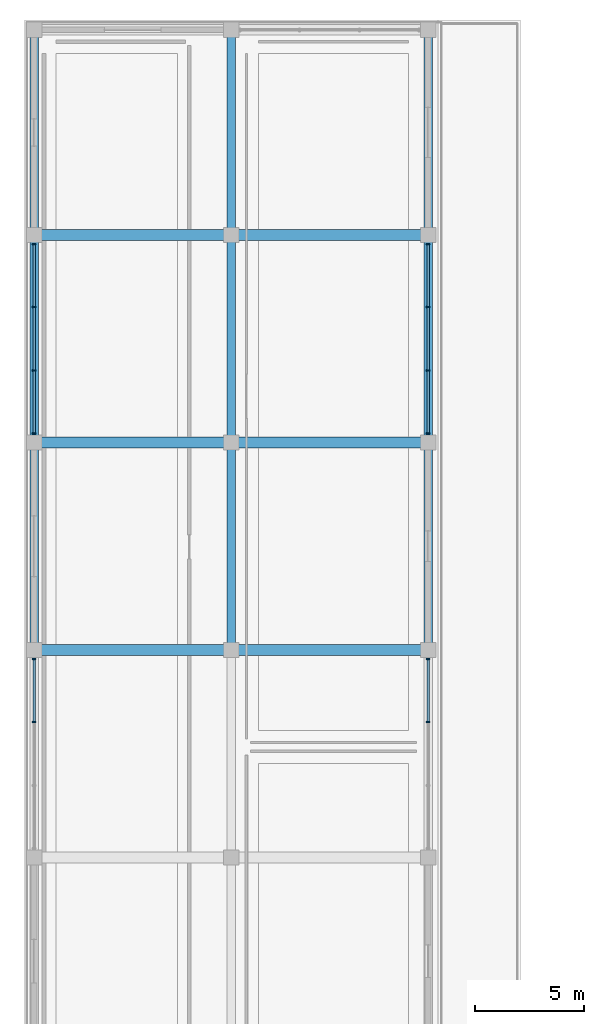
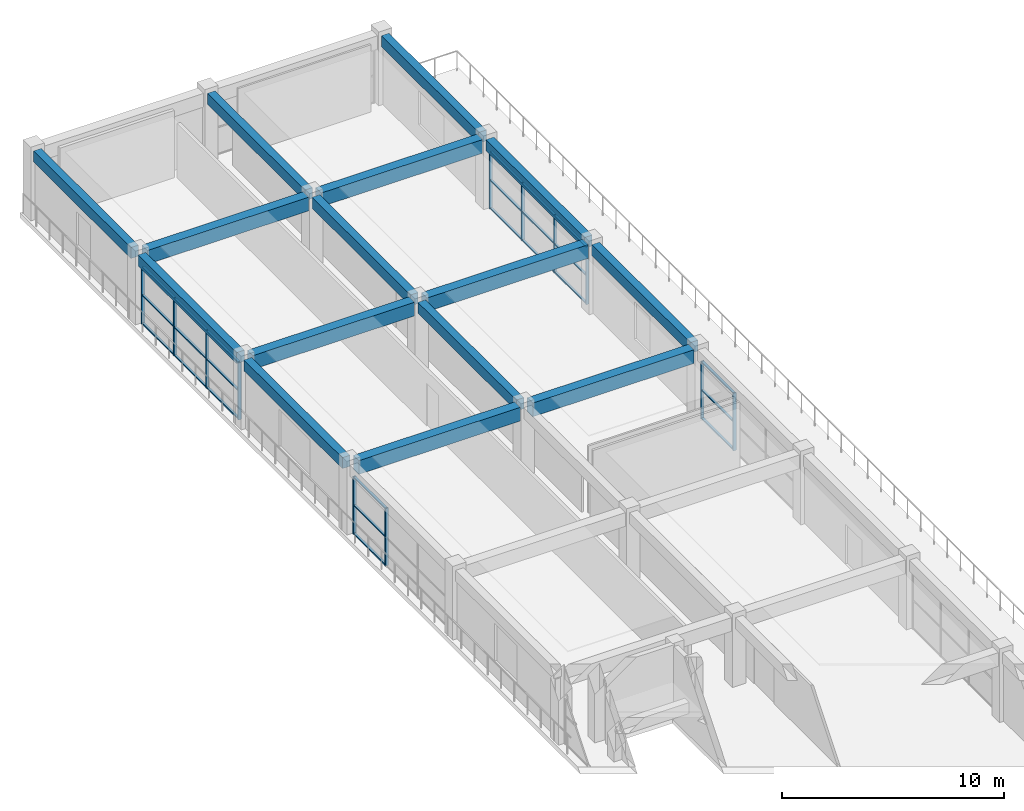
# One storey, part 33 of 70: 36 members, 15 beams, 4 elements without a shape of their own.
"""IFC4 building model written with IfcOpenShell, lengths in metres."""

from ifc_helpers import new_model, si_unit, direction, frame, origin, origin_2d, place, context, subcontext, project, spatial, rectangle, extrude, material, material_profile, profile_set, type_object, element, aggregate, save


model = new_model("IFC4")

# Units and contexts
model_context = context("Model", 3, precision=1e-05, world=origin(), true_north=direction((0.0, 1.0)))
body_context = subcontext(model_context, "Body", "Model", "MODEL_VIEW")
ifc_project = project(units=[si_unit("LENGTHUNIT", "METRE"), si_unit("AREAUNIT", "SQUARE_METRE"), si_unit("VOLUMEUNIT", "CUBIC_METRE"), si_unit("PLANEANGLEUNIT", "RADIAN"), si_unit("MASSUNIT", "GRAM", prefix="KILO")], contexts=[model_context])

# Site, building, storey
site_placement = place(None, origin())
site = spatial("IfcSite", under=ifc_project, at=site_placement, CompositionType="ELEMENT")
building_placement = place(site_placement, origin())
building = spatial("IfcBuilding", under=site, at=building_placement, Name="Saryqyr Civic Hall", CompositionType="ELEMENT")
storey_placement = place(building_placement, frame((0.0, 0.0, 13.199951171875)))
storey = spatial("IfcBuildingStorey", under=building, at=storey_placement, Name="L03", CompositionType="ELEMENT", Elevation=13.199951171875)

# Curtain wall, members
ifc_material_1 = material(Name="Anodised aluminium and triple low-E glass", Category="aluminium")
curtain_wall_type = type_object("IfcCurtainWallType", Name="ENV-CW-STD-52", PredefinedType="NOTDEFINED", material=ifc_material_1)
curtain_wall_1_placement = place(storey_placement, origin())
curtain_wall_1 = element("IfcCurtainWall", 1, at=curtain_wall_1_placement, inside=storey, type_object=curtain_wall_type, Name="Curtain wall V3-CW-L03-1-1", PredefinedType="NOTDEFINED")
ifc_material_2 = material(Name="Anodised aluminium", Category="aluminium")
ifc_material_profile_1 = material_profile(ifc_material_2, rectangle(XDim=0.06005859375, YDim=0.159912109375, at=origin_2d()), Name="ALU MULLION 60x160")
ifc_profile_set_1 = profile_set([ifc_material_profile_1], Name="Anodised aluminium")
member_type_1 = type_object("IfcMemberType", Name="ENV-CW-MUL-180", PredefinedType="MULLION", material=ifc_profile_set_1)
member_1_placement = place(storey_placement, frame((26.14990234375, 155.300048828125, 0.0), z_axis=(0.0, 0.0, 1.0), x_axis=(0.0, -1.0, 0.0)))
member_1 = element("IfcMember", 2, at=member_1_placement, type_object=member_type_1, Name="CW-52 mullion 1", PredefinedType="MULLION", context=body_context, shape_type="SweptSolid", body=[
    extrude(rectangle(XDim=0.06005859375, YDim=0.159912109375, at=origin_2d()), origin(), (0.0, 0.0, 1.0), 3.1650390625),
])
member_2_placement = place(storey_placement, frame((26.14990234375, 152.413330078125, 0.0), z_axis=(0.0, 0.0, 1.0), x_axis=(0.0, -1.0, 0.0)))
member_2 = element("IfcMember", 3, at=member_2_placement, type_object=member_type_1, Name="CW-52 mullion 2", PredefinedType="MULLION", context=body_context, shape_type="SweptSolid", body=[
    extrude(rectangle(XDim=0.06005859375, YDim=0.159912109375, at=origin_2d()), origin(), (0.0, 0.0, 1.0), 3.1650390625),
])
member_3_placement = place(storey_placement, frame((26.14990234375, 149.49658203125, 0.0), z_axis=(0.0, 0.0, 1.0), x_axis=(0.0, -1.0, 0.0)))
member_3 = element("IfcMember", 4, at=member_3_placement, type_object=member_type_1, Name="CW-52 mullion 3", PredefinedType="MULLION", context=body_context, shape_type="SweptSolid", body=[
    extrude(rectangle(XDim=0.06005859375, YDim=0.159912109375, at=origin_2d()), origin(), (0.0, 0.0, 1.0), 3.1650390625),
])
member_4_placement = place(storey_placement, frame((26.14990234375, 146.610107421875, 0.0), z_axis=(0.0, 0.0, 1.0), x_axis=(0.0, -1.0, 0.0)))
member_4 = element("IfcMember", 5, at=member_4_placement, type_object=member_type_1, Name="CW-52 mullion 4", PredefinedType="MULLION", context=body_context, shape_type="SweptSolid", body=[
    extrude(rectangle(XDim=0.06005859375, YDim=0.159912109375, at=origin_2d()), origin(), (0.0, 0.0, 1.0), 3.1650390625),
])

curtain_wall_2_placement = place(storey_placement, origin())
curtain_wall_2 = element("IfcCurtainWall", 6, at=curtain_wall_2_placement, inside=storey, type_object=curtain_wall_type, Name="Curtain wall V3-CW-L03-1-3", PredefinedType="NOTDEFINED")
member_5_placement = place(storey_placement, frame((26.14990234375, 136.239990234375, 0.0), z_axis=(0.0, 0.0, 1.0), x_axis=(0.0, -1.0, 0.0)))
member_5 = element("IfcMember", 7, at=member_5_placement, type_object=member_type_1, Name="CW-52 mullion 1", PredefinedType="MULLION", context=body_context, shape_type="SweptSolid", body=[
    extrude(rectangle(XDim=0.06005859375, YDim=0.159912109375, at=origin_2d()), origin(), (0.0, 0.0, 1.0), 3.1650390625),
])
member_6_placement = place(storey_placement, frame((26.14990234375, 133.353271484375, 0.0), z_axis=(0.0, 0.0, 1.0), x_axis=(0.0, -1.0, 0.0)))
member_6 = element("IfcMember", 8, at=member_6_placement, type_object=member_type_1, Name="CW-52 mullion 2", PredefinedType="MULLION", context=body_context, shape_type="SweptSolid", body=[
    extrude(rectangle(XDim=0.06005859375, YDim=0.159912109375, at=origin_2d()), origin(), (0.0, 0.0, 1.0), 3.1650390625),
])

curtain_wall_3_placement = place(storey_placement, origin())
curtain_wall_3 = element("IfcCurtainWall", 9, at=curtain_wall_3_placement, inside=storey, type_object=curtain_wall_type, Name="Curtain wall V3-CW-L03-3-3", PredefinedType="NOTDEFINED")
member_7_placement = place(storey_placement, frame((8.050048828125, 133.353271484375, 0.0), z_axis=(0.0, 0.0, 1.0), x_axis=(0.0, 1.0, 0.0)))
member_7 = element("IfcMember", 10, at=member_7_placement, type_object=member_type_1, Name="CW-52 mullion 3", PredefinedType="MULLION", context=body_context, shape_type="SweptSolid", body=[
    extrude(rectangle(XDim=0.06005859375, YDim=0.159912109375, at=origin_2d()), origin(), (0.0, 0.0, 1.0), 3.1650390625),
])
member_8_placement = place(storey_placement, frame((8.050048828125, 136.239990234375, 0.0), z_axis=(0.0, 0.0, 1.0), x_axis=(0.0, 1.0, 0.0)))
member_8 = element("IfcMember", 11, at=member_8_placement, type_object=member_type_1, Name="CW-52 mullion 4", PredefinedType="MULLION", context=body_context, shape_type="SweptSolid", body=[
    extrude(rectangle(XDim=0.06005859375, YDim=0.159912109375, at=origin_2d()), origin(), (0.0, 0.0, 1.0), 3.1650390625),
])

curtain_wall_4_placement = place(storey_placement, origin())
curtain_wall_4 = element("IfcCurtainWall", 12, at=curtain_wall_4_placement, inside=storey, type_object=curtain_wall_type, Name="Curtain wall V3-CW-L03-3-5", PredefinedType="NOTDEFINED")
member_9_placement = place(storey_placement, frame((8.050048828125, 146.610107421875, 0.0), z_axis=(0.0, 0.0, 1.0), x_axis=(0.0, 1.0, 0.0)))
member_9 = element("IfcMember", 13, at=member_9_placement, type_object=member_type_1, Name="CW-52 mullion 1", PredefinedType="MULLION", context=body_context, shape_type="SweptSolid", body=[
    extrude(rectangle(XDim=0.06005859375, YDim=0.159912109375, at=origin_2d()), origin(), (0.0, 0.0, 1.0), 3.1650390625),
])
member_10_placement = place(storey_placement, frame((8.050048828125, 149.49658203125, 0.0), z_axis=(0.0, 0.0, 1.0), x_axis=(0.0, 1.0, 0.0)))
member_10 = element("IfcMember", 14, at=member_10_placement, type_object=member_type_1, Name="CW-52 mullion 2", PredefinedType="MULLION", context=body_context, shape_type="SweptSolid", body=[
    extrude(rectangle(XDim=0.06005859375, YDim=0.159912109375, at=origin_2d()), origin(), (0.0, 0.0, 1.0), 3.1650390625),
])
member_11_placement = place(storey_placement, frame((8.050048828125, 152.413330078125, 0.0), z_axis=(0.0, 0.0, 1.0), x_axis=(0.0, 1.0, 0.0)))
member_11 = element("IfcMember", 15, at=member_11_placement, type_object=member_type_1, Name="CW-52 mullion 3", PredefinedType="MULLION", context=body_context, shape_type="SweptSolid", body=[
    extrude(rectangle(XDim=0.06005859375, YDim=0.159912109375, at=origin_2d()), origin(), (0.0, 0.0, 1.0), 3.1650390625),
])
member_12_placement = place(storey_placement, frame((8.050048828125, 155.300048828125, 0.0), z_axis=(0.0, 0.0, 1.0), x_axis=(0.0, 1.0, 0.0)))
member_12 = element("IfcMember", 16, at=member_12_placement, type_object=member_type_1, Name="CW-52 mullion 4", PredefinedType="MULLION", context=body_context, shape_type="SweptSolid", body=[
    extrude(rectangle(XDim=0.06005859375, YDim=0.159912109375, at=origin_2d()), origin(), (0.0, 0.0, 1.0), 3.1650390625),
])

# Member
ifc_material_profile_2 = material_profile(ifc_material_2, rectangle(XDim=0.1201171875, YDim=0.06005859375, at=origin_2d()), Name="ALU TRANSOM 120x60")
ifc_profile_set_2 = profile_set([ifc_material_profile_2], Name="Anodised aluminium")
member_type_2 = type_object("IfcMemberType", Name="ENV-CW-TRN-150", PredefinedType="USERDEFINED", material=ifc_profile_set_2)
member_13_placement = place(storey_placement, frame((26.14990234375, 155.27001953125, 0.030029296875), z_axis=(0.0, -1.0, 0.0), x_axis=(1.0, 0.0, 0.0)))
member_13 = element("IfcMember", 17, at=member_13_placement, type_object=member_type_2, Name="CW-52 transom 1.1", ObjectType="TRANSOM", PredefinedType="USERDEFINED", context=body_context, shape_type="SweptSolid", body=[
    extrude(rectangle(XDim=0.1201171875, YDim=0.06005859375, at=origin_2d()), origin(), (0.0, 0.0, 1.0), 2.82666015625),
])

member_14_placement = place(storey_placement, frame((26.14990234375, 155.27001953125, 1.58203125), z_axis=(0.0, -1.0, 0.0), x_axis=(1.0, 0.0, 0.0)))
member_14 = element("IfcMember", 18, at=member_14_placement, type_object=member_type_2, Name="CW-52 transom 1.2", ObjectType="TRANSOM", PredefinedType="USERDEFINED", context=body_context, shape_type="SweptSolid", body=[
    extrude(rectangle(XDim=0.1201171875, YDim=0.06005859375, at=origin_2d()), origin(), (0.0, 0.0, 1.0), 2.82666015625),
])

member_15_placement = place(storey_placement, frame((26.14990234375, 155.27001953125, 3.135009765625), z_axis=(0.0, -1.0, 0.0), x_axis=(1.0, 0.0, 0.0)))
member_15 = element("IfcMember", 19, at=member_15_placement, type_object=member_type_2, Name="CW-52 transom 1.3", ObjectType="TRANSOM", PredefinedType="USERDEFINED", context=body_context, shape_type="SweptSolid", body=[
    extrude(rectangle(XDim=0.1201171875, YDim=0.06005859375, at=origin_2d()), origin(), (0.0, 0.0, 1.0), 2.82666015625),
])

member_16_placement = place(storey_placement, frame((26.14990234375, 152.38330078125, 0.030029296875), z_axis=(0.0, -1.0, 0.0), x_axis=(1.0, 0.0, 0.0)))
member_16 = element("IfcMember", 20, at=member_16_placement, type_object=member_type_2, Name="CW-52 transom 2.1", ObjectType="TRANSOM", PredefinedType="USERDEFINED", context=body_context, shape_type="SweptSolid", body=[
    extrude(rectangle(XDim=0.1201171875, YDim=0.06005859375, at=origin_2d()), origin(), (0.0, 0.0, 1.0), 2.856689453125),
])

member_17_placement = place(storey_placement, frame((26.14990234375, 152.38330078125, 1.58203125), z_axis=(0.0, -1.0, 0.0), x_axis=(1.0, 0.0, 0.0)))
member_17 = element("IfcMember", 21, at=member_17_placement, type_object=member_type_2, Name="CW-52 transom 2.2", ObjectType="TRANSOM", PredefinedType="USERDEFINED", context=body_context, shape_type="SweptSolid", body=[
    extrude(rectangle(XDim=0.1201171875, YDim=0.06005859375, at=origin_2d()), origin(), (0.0, 0.0, 1.0), 2.856689453125),
])

member_18_placement = place(storey_placement, frame((26.14990234375, 152.38330078125, 3.135009765625), z_axis=(0.0, -1.0, 0.0), x_axis=(1.0, 0.0, 0.0)))
member_18 = element("IfcMember", 22, at=member_18_placement, type_object=member_type_2, Name="CW-52 transom 2.3", ObjectType="TRANSOM", PredefinedType="USERDEFINED", context=body_context, shape_type="SweptSolid", body=[
    extrude(rectangle(XDim=0.1201171875, YDim=0.06005859375, at=origin_2d()), origin(), (0.0, 0.0, 1.0), 2.856689453125),
])

member_19_placement = place(storey_placement, frame((26.14990234375, 149.466552734375, 0.030029296875), z_axis=(0.0, -1.0, 0.0), x_axis=(1.0, 0.0, 0.0)))
member_19 = element("IfcMember", 23, at=member_19_placement, type_object=member_type_2, Name="CW-52 transom 3.1", ObjectType="TRANSOM", PredefinedType="USERDEFINED", context=body_context, shape_type="SweptSolid", body=[
    extrude(rectangle(XDim=0.1201171875, YDim=0.06005859375, at=origin_2d()), origin(), (0.0, 0.0, 1.0), 2.82666015625),
])

member_20_placement = place(storey_placement, frame((26.14990234375, 149.466552734375, 1.58203125), z_axis=(0.0, -1.0, 0.0), x_axis=(1.0, 0.0, 0.0)))
member_20 = element("IfcMember", 24, at=member_20_placement, type_object=member_type_2, Name="CW-52 transom 3.2", ObjectType="TRANSOM", PredefinedType="USERDEFINED", context=body_context, shape_type="SweptSolid", body=[
    extrude(rectangle(XDim=0.1201171875, YDim=0.06005859375, at=origin_2d()), origin(), (0.0, 0.0, 1.0), 2.82666015625),
])

member_21_placement = place(storey_placement, frame((26.14990234375, 149.466552734375, 3.135009765625), z_axis=(0.0, -1.0, 0.0), x_axis=(1.0, 0.0, 0.0)))
member_21 = element("IfcMember", 25, at=member_21_placement, type_object=member_type_2, Name="CW-52 transom 3.3", ObjectType="TRANSOM", PredefinedType="USERDEFINED", context=body_context, shape_type="SweptSolid", body=[
    extrude(rectangle(XDim=0.1201171875, YDim=0.06005859375, at=origin_2d()), origin(), (0.0, 0.0, 1.0), 2.82666015625),
])

aggregate(curtain_wall_1, [member_1, member_2, member_3, member_4, member_13, member_14, member_15, member_16, member_17, member_18, member_19, member_20, member_21])

member_22_placement = place(storey_placement, frame((26.14990234375, 136.2099609375, 0.030029296875), z_axis=(0.0, -1.0, 0.0), x_axis=(1.0, 0.0, 0.0)))
member_22 = element("IfcMember", 26, at=member_22_placement, type_object=member_type_2, Name="CW-52 transom 1.1", ObjectType="TRANSOM", PredefinedType="USERDEFINED", context=body_context, shape_type="SweptSolid", body=[
    extrude(rectangle(XDim=0.1201171875, YDim=0.06005859375, at=origin_2d()), origin(), (0.0, 0.0, 1.0), 2.82666015625),
])

member_23_placement = place(storey_placement, frame((26.14990234375, 136.2099609375, 1.58203125), z_axis=(0.0, -1.0, 0.0), x_axis=(1.0, 0.0, 0.0)))
member_23 = element("IfcMember", 27, at=member_23_placement, type_object=member_type_2, Name="CW-52 transom 1.2", ObjectType="TRANSOM", PredefinedType="USERDEFINED", context=body_context, shape_type="SweptSolid", body=[
    extrude(rectangle(XDim=0.1201171875, YDim=0.06005859375, at=origin_2d()), origin(), (0.0, 0.0, 1.0), 2.82666015625),
])

member_24_placement = place(storey_placement, frame((26.14990234375, 136.2099609375, 3.135009765625), z_axis=(0.0, -1.0, 0.0), x_axis=(1.0, 0.0, 0.0)))
member_24 = element("IfcMember", 28, at=member_24_placement, type_object=member_type_2, Name="CW-52 transom 1.3", ObjectType="TRANSOM", PredefinedType="USERDEFINED", context=body_context, shape_type="SweptSolid", body=[
    extrude(rectangle(XDim=0.1201171875, YDim=0.06005859375, at=origin_2d()), origin(), (0.0, 0.0, 1.0), 2.82666015625),
])

aggregate(curtain_wall_2, [member_5, member_6, member_22, member_23, member_24])

member_25_placement = place(storey_placement, frame((8.050048828125, 133.38330078125, 0.030029296875), z_axis=(0.0, 1.0, 0.0), x_axis=(-1.0, 0.0, 0.0)))
member_25 = element("IfcMember", 29, at=member_25_placement, type_object=member_type_2, Name="CW-52 transom 3.1", ObjectType="TRANSOM", PredefinedType="USERDEFINED", context=body_context, shape_type="SweptSolid", body=[
    extrude(rectangle(XDim=0.1201171875, YDim=0.06005859375, at=origin_2d()), origin(), (0.0, 0.0, 1.0), 2.82666015625),
])

member_26_placement = place(storey_placement, frame((8.050048828125, 133.38330078125, 1.58203125), z_axis=(0.0, 1.0, 0.0), x_axis=(-1.0, 0.0, 0.0)))
member_26 = element("IfcMember", 30, at=member_26_placement, type_object=member_type_2, Name="CW-52 transom 3.2", ObjectType="TRANSOM", PredefinedType="USERDEFINED", context=body_context, shape_type="SweptSolid", body=[
    extrude(rectangle(XDim=0.1201171875, YDim=0.06005859375, at=origin_2d()), origin(), (0.0, 0.0, 1.0), 2.82666015625),
])

member_27_placement = place(storey_placement, frame((8.050048828125, 133.38330078125, 3.135009765625), z_axis=(0.0, 1.0, 0.0), x_axis=(-1.0, 0.0, 0.0)))
member_27 = element("IfcMember", 31, at=member_27_placement, type_object=member_type_2, Name="CW-52 transom 3.3", ObjectType="TRANSOM", PredefinedType="USERDEFINED", context=body_context, shape_type="SweptSolid", body=[
    extrude(rectangle(XDim=0.1201171875, YDim=0.06005859375, at=origin_2d()), origin(), (0.0, 0.0, 1.0), 2.82666015625),
])

aggregate(curtain_wall_3, [member_7, member_8, member_25, member_26, member_27])

member_28_placement = place(storey_placement, frame((8.050048828125, 146.639892578125, 0.030029296875), z_axis=(0.0, 1.0, 0.0), x_axis=(-1.0, 0.0, 0.0)))
member_28 = element("IfcMember", 32, at=member_28_placement, type_object=member_type_2, Name="CW-52 transom 1.1", ObjectType="TRANSOM", PredefinedType="USERDEFINED", context=body_context, shape_type="SweptSolid", body=[
    extrude(rectangle(XDim=0.1201171875, YDim=0.06005859375, at=origin_2d()), origin(), (0.0, 0.0, 1.0), 2.82666015625),
])

member_29_placement = place(storey_placement, frame((8.050048828125, 146.639892578125, 1.58203125), z_axis=(0.0, 1.0, 0.0), x_axis=(-1.0, 0.0, 0.0)))
member_29 = element("IfcMember", 33, at=member_29_placement, type_object=member_type_2, Name="CW-52 transom 1.2", ObjectType="TRANSOM", PredefinedType="USERDEFINED", context=body_context, shape_type="SweptSolid", body=[
    extrude(rectangle(XDim=0.1201171875, YDim=0.06005859375, at=origin_2d()), origin(), (0.0, 0.0, 1.0), 2.82666015625),
])

member_30_placement = place(storey_placement, frame((8.050048828125, 146.639892578125, 3.135009765625), z_axis=(0.0, 1.0, 0.0), x_axis=(-1.0, 0.0, 0.0)))
member_30 = element("IfcMember", 34, at=member_30_placement, type_object=member_type_2, Name="CW-52 transom 1.3", ObjectType="TRANSOM", PredefinedType="USERDEFINED", context=body_context, shape_type="SweptSolid", body=[
    extrude(rectangle(XDim=0.1201171875, YDim=0.06005859375, at=origin_2d()), origin(), (0.0, 0.0, 1.0), 2.82666015625),
])

member_31_placement = place(storey_placement, frame((8.050048828125, 149.526611328125, 0.030029296875), z_axis=(0.0, 1.0, 0.0), x_axis=(-1.0, 0.0, 0.0)))
member_31 = element("IfcMember", 35, at=member_31_placement, type_object=member_type_2, Name="CW-52 transom 2.1", ObjectType="TRANSOM", PredefinedType="USERDEFINED", context=body_context, shape_type="SweptSolid", body=[
    extrude(rectangle(XDim=0.1201171875, YDim=0.06005859375, at=origin_2d()), origin(), (0.0, 0.0, 1.0), 2.856689453125),
])

member_32_placement = place(storey_placement, frame((8.050048828125, 149.526611328125, 1.58203125), z_axis=(0.0, 1.0, 0.0), x_axis=(-1.0, 0.0, 0.0)))
member_32 = element("IfcMember", 36, at=member_32_placement, type_object=member_type_2, Name="CW-52 transom 2.2", ObjectType="TRANSOM", PredefinedType="USERDEFINED", context=body_context, shape_type="SweptSolid", body=[
    extrude(rectangle(XDim=0.1201171875, YDim=0.06005859375, at=origin_2d()), origin(), (0.0, 0.0, 1.0), 2.856689453125),
])

member_33_placement = place(storey_placement, frame((8.050048828125, 149.526611328125, 3.135009765625), z_axis=(0.0, 1.0, 0.0), x_axis=(-1.0, 0.0, 0.0)))
member_33 = element("IfcMember", 37, at=member_33_placement, type_object=member_type_2, Name="CW-52 transom 2.3", ObjectType="TRANSOM", PredefinedType="USERDEFINED", context=body_context, shape_type="SweptSolid", body=[
    extrude(rectangle(XDim=0.1201171875, YDim=0.06005859375, at=origin_2d()), origin(), (0.0, 0.0, 1.0), 2.856689453125),
])

member_34_placement = place(storey_placement, frame((8.050048828125, 152.443359375, 0.030029296875), z_axis=(0.0, 1.0, 0.0), x_axis=(-1.0, 0.0, 0.0)))
member_34 = element("IfcMember", 38, at=member_34_placement, type_object=member_type_2, Name="CW-52 transom 3.1", ObjectType="TRANSOM", PredefinedType="USERDEFINED", context=body_context, shape_type="SweptSolid", body=[
    extrude(rectangle(XDim=0.1201171875, YDim=0.06005859375, at=origin_2d()), origin(), (0.0, 0.0, 1.0), 2.82666015625),
])

member_35_placement = place(storey_placement, frame((8.050048828125, 152.443359375, 1.58203125), z_axis=(0.0, 1.0, 0.0), x_axis=(-1.0, 0.0, 0.0)))
member_35 = element("IfcMember", 39, at=member_35_placement, type_object=member_type_2, Name="CW-52 transom 3.2", ObjectType="TRANSOM", PredefinedType="USERDEFINED", context=body_context, shape_type="SweptSolid", body=[
    extrude(rectangle(XDim=0.1201171875, YDim=0.06005859375, at=origin_2d()), origin(), (0.0, 0.0, 1.0), 2.82666015625),
])

member_36_placement = place(storey_placement, frame((8.050048828125, 152.443359375, 3.135009765625), z_axis=(0.0, 1.0, 0.0), x_axis=(-1.0, 0.0, 0.0)))
member_36 = element("IfcMember", 40, at=member_36_placement, type_object=member_type_2, Name="CW-52 transom 3.3", ObjectType="TRANSOM", PredefinedType="USERDEFINED", context=body_context, shape_type="SweptSolid", body=[
    extrude(rectangle(XDim=0.1201171875, YDim=0.06005859375, at=origin_2d()), origin(), (0.0, 0.0, 1.0), 2.82666015625),
])

aggregate(curtain_wall_4, [member_9, member_10, member_11, member_12, member_28, member_29, member_30, member_31, member_32, member_33, member_34, member_35, member_36])

# Beams
ifc_material_3 = material(Name="Concrete C35/45", Category="concrete")
ifc_material_profile_3 = material_profile(ifc_material_3, rectangle(XDim=0.39990234375, YDim=0.60009765625, at=origin_2d()), Name="RC 400x600")
ifc_profile_set_3 = profile_set([ifc_material_profile_3], Name="Concrete C35/45")
beam_type_1 = type_object("IfcBeamType", Name="STR-BM-RC400x600", PredefinedType="BEAM", material=ifc_profile_set_3)
beam_1_placement = place(storey_placement, frame((8.050048828125, 136.985107421875, 3.489990234375), z_axis=(0.0, 1.0, 0.0), x_axis=(-1.0, 0.0, 0.0)))
element("IfcBeam", 41, at=beam_1_placement, inside=storey, type_object=beam_type_1, Name="Beam V3-BM-NS-1-5-L03", PredefinedType="BEAM", context=body_context, shape_type="SweptSolid", body=[
    extrude(rectangle(XDim=0.39990234375, YDim=0.60009765625, at=origin_2d()), origin(), (0.0, 0.0, 1.0), 8.8798828125),
])
beam_2_placement = place(storey_placement, frame((8.050048828125, 146.514892578125, 3.489990234375), z_axis=(0.0, 1.0, 0.0), x_axis=(-1.0, 0.0, 0.0)))
element("IfcBeam", 42, at=beam_2_placement, inside=storey, type_object=beam_type_1, Name="Beam V3-BM-NS-1-6-L03", PredefinedType="BEAM", context=body_context, shape_type="SweptSolid", body=[
    extrude(rectangle(XDim=0.39990234375, YDim=0.60009765625, at=origin_2d()), origin(), (0.0, 0.0, 1.0), 8.880126953125),
])
beam_3_placement = place(storey_placement, frame((8.050048828125, 156.044921875, 3.489990234375), z_axis=(0.0, 1.0, 0.0), x_axis=(-1.0, 0.0, 0.0)))
element("IfcBeam", 43, at=beam_3_placement, inside=storey, type_object=beam_type_1, Name="Beam V3-BM-NS-1-7-L03", PredefinedType="BEAM", context=body_context, shape_type="SweptSolid", body=[
    extrude(rectangle(XDim=0.39990234375, YDim=0.60009765625, at=origin_2d()), origin(), (0.0, 0.0, 1.0), 8.780029296875),
])
beam_4_placement = place(storey_placement, frame((17.10009765625, 136.985107421875, 3.489990234375), z_axis=(0.0, 1.0, 0.0), x_axis=(-1.0, 0.0, 0.0)))
element("IfcBeam", 44, at=beam_4_placement, inside=storey, type_object=beam_type_1, Name="Beam V3-BM-NS-2-5-L03", PredefinedType="BEAM", context=body_context, shape_type="SweptSolid", body=[
    extrude(rectangle(XDim=0.39990234375, YDim=0.60009765625, at=origin_2d()), origin(), (0.0, 0.0, 1.0), 8.8798828125),
])
beam_5_placement = place(storey_placement, frame((17.10009765625, 146.514892578125, 3.489990234375), z_axis=(0.0, 1.0, 0.0), x_axis=(-1.0, 0.0, 0.0)))
element("IfcBeam", 45, at=beam_5_placement, inside=storey, type_object=beam_type_1, Name="Beam V3-BM-NS-2-6-L03", PredefinedType="BEAM", context=body_context, shape_type="SweptSolid", body=[
    extrude(rectangle(XDim=0.39990234375, YDim=0.60009765625, at=origin_2d()), origin(), (0.0, 0.0, 1.0), 8.880126953125),
])
beam_6_placement = place(storey_placement, frame((17.10009765625, 156.044921875, 3.489990234375), z_axis=(0.0, 1.0, 0.0), x_axis=(-1.0, 0.0, 0.0)))
element("IfcBeam", 46, at=beam_6_placement, inside=storey, type_object=beam_type_1, Name="Beam V3-BM-NS-2-7-L03", PredefinedType="BEAM", context=body_context, shape_type="SweptSolid", body=[
    extrude(rectangle(XDim=0.39990234375, YDim=0.60009765625, at=origin_2d()), origin(), (0.0, 0.0, 1.0), 8.780029296875),
])
beam_7_placement = place(storey_placement, frame((26.14990234375, 136.985107421875, 3.489990234375), z_axis=(0.0, 1.0, 0.0), x_axis=(-1.0, 0.0, 0.0)))
element("IfcBeam", 47, at=beam_7_placement, inside=storey, type_object=beam_type_1, Name="Beam V3-BM-NS-3-5-L03", PredefinedType="BEAM", context=body_context, shape_type="SweptSolid", body=[
    extrude(rectangle(XDim=0.39990234375, YDim=0.60009765625, at=origin_2d()), origin(), (0.0, 0.0, 1.0), 8.8798828125),
])
beam_8_placement = place(storey_placement, frame((26.14990234375, 146.514892578125, 3.489990234375), z_axis=(0.0, 1.0, 0.0), x_axis=(-1.0, 0.0, 0.0)))
element("IfcBeam", 48, at=beam_8_placement, inside=storey, type_object=beam_type_1, Name="Beam V3-BM-NS-3-6-L03", PredefinedType="BEAM", context=body_context, shape_type="SweptSolid", body=[
    extrude(rectangle(XDim=0.39990234375, YDim=0.60009765625, at=origin_2d()), origin(), (0.0, 0.0, 1.0), 8.880126953125),
])
beam_9_placement = place(storey_placement, frame((26.14990234375, 156.044921875, 3.489990234375), z_axis=(0.0, 1.0, 0.0), x_axis=(-1.0, 0.0, 0.0)))
element("IfcBeam", 49, at=beam_9_placement, inside=storey, type_object=beam_type_1, Name="Beam V3-BM-NS-3-7-L03", PredefinedType="BEAM", context=body_context, shape_type="SweptSolid", body=[
    extrude(rectangle(XDim=0.39990234375, YDim=0.60009765625, at=origin_2d()), origin(), (0.0, 0.0, 1.0), 8.780029296875),
])
ifc_material_4 = material(Name="Concrete C40/50", Category="concrete")
ifc_material_profile_4 = material_profile(ifc_material_4, rectangle(XDim=0.5, YDim=0.75, at=origin_2d()), Name="RC 500x750")
ifc_profile_set_4 = profile_set([ifc_material_profile_4], Name="Concrete C40/50")
beam_type_2 = type_object("IfcBeamType", Name="STR-BM-RC500x750", PredefinedType="BEAM", material=ifc_profile_set_4)
for number, where, z_axis, x_axis, name in (
    (50, (8.375, 136.659912109375, 3.4150390625), (1.0, 0.0, 0.0), (0.0, 1.0, 0.0), "Beam V3-BM-EW-5-1-L03"),
    (51, (17.425048828125, 136.659912109375, 3.4150390625), (1.0, 0.0, 0.0), (0.0, 1.0, 0.0), "Beam V3-BM-EW-5-2-L03"),
    (52, (8.375, 146.18994140625, 3.4150390625), (1.0, 0.0, 0.0), (0.0, 1.0, 0.0), "Beam V3-BM-EW-6-1-L03"),
    (53, (17.425048828125, 146.18994140625, 3.4150390625), (1.0, 0.0, 0.0), (0.0, 1.0, 0.0), "Beam V3-BM-EW-6-2-L03"),
    (54, (8.375, 155.719970703125, 3.4150390625), (1.0, 0.0, 0.0), (0.0, 1.0, 0.0), "Beam V3-BM-EW-7-1-L03"),
    (55, (17.425048828125, 155.719970703125, 3.4150390625), (1.0, 0.0, 0.0), (0.0, 1.0, 0.0), "Beam V3-BM-EW-7-2-L03"),
):
    element("IfcBeam", number, at=place(storey_placement, frame(where, z_axis=z_axis, x_axis=x_axis)), inside=storey, type_object=beam_type_2, Name=name, PredefinedType="BEAM", context=body_context, shape_type="SweptSolid", body=[
        extrude(rectangle(XDim=0.5, YDim=0.75, at=origin_2d()), origin(), (0.0, 0.0, 1.0), 8.39990234375),
    ])

save(model, "model.ifc")
